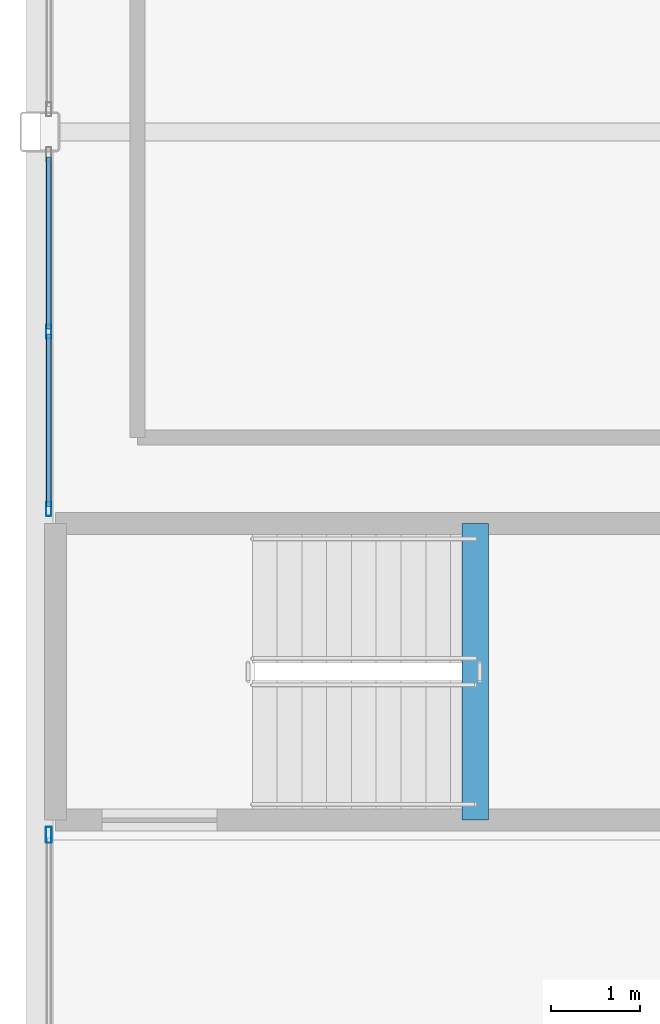
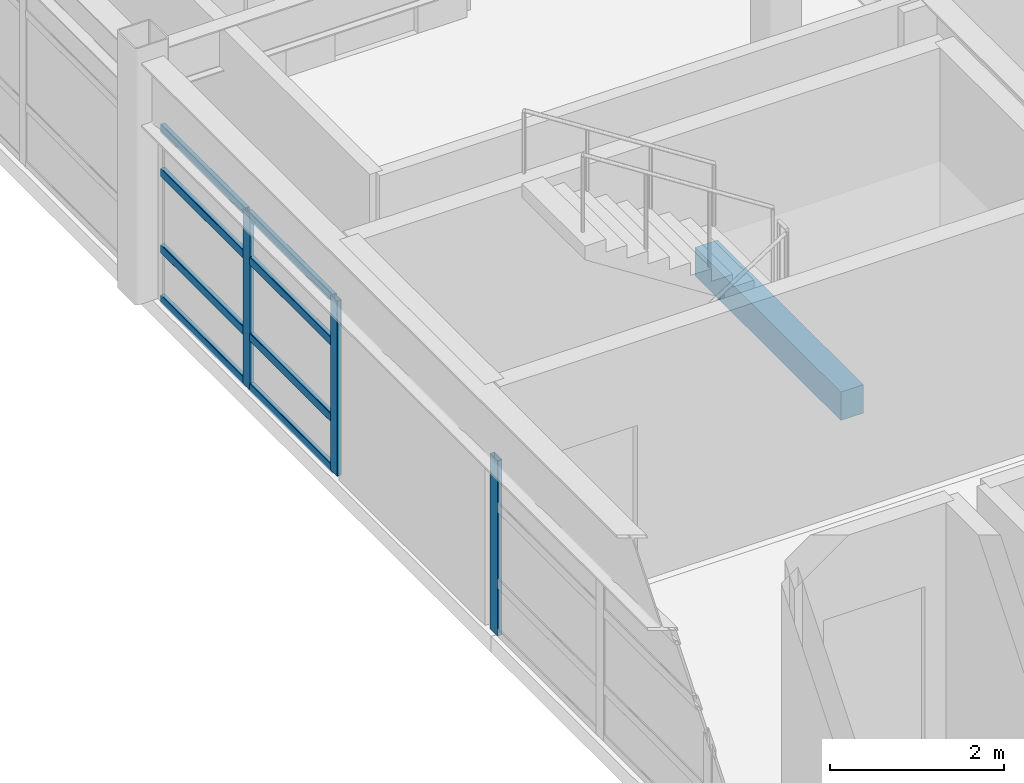
# One storey, part 11 of 28: 11 members, 1 beam, 2 elements without a shape of their own.
"""IFC4 building model written with IfcOpenShell, lengths in metres."""

from ifc_helpers import new_model, si_unit, direction, frame, origin, origin_2d, place, context, subcontext, project, spatial, rectangle, hollow_rectangle, extrude, material, layer, layer_set, material_profile, profile_set, type_object, element, aggregate, save


model = new_model("IFC4")

# Units and contexts
model_context = context("Model", 3, precision=1e-05, world=origin(), true_north=direction((0.0, 1.0)))
body_context = subcontext(model_context, "Body", "Model", "MODEL_VIEW")
ifc_project = project(units=[si_unit("LENGTHUNIT", "METRE"), si_unit("AREAUNIT", "SQUARE_METRE"), si_unit("VOLUMEUNIT", "CUBIC_METRE"), si_unit("PLANEANGLEUNIT", "RADIAN"), si_unit("MASSUNIT", "GRAM", prefix="KILO")], contexts=[model_context])

# Site, building, storey
site_placement = place(None, origin())
site = spatial("IfcSite", under=ifc_project, at=site_placement, CompositionType="ELEMENT")
building_placement = place(site_placement, origin())
building = spatial("IfcBuilding", under=site, at=building_placement, Name="Kazehara Bluff Congress Hotel", CompositionType="ELEMENT")
storey_placement = place(building_placement, frame((0.0, 0.0, 42.60009765625)))
storey = spatial("IfcBuildingStorey", under=building, at=storey_placement, Name="L10", CompositionType="ELEMENT", Elevation=42.60009765625)

# Curtain wall, members
ifc_material_1 = material(Name="Anodised aluminium", Category="aluminium")
ifc_layer_1 = layer(ifc_material_1, 0.159912109375)
ifc_layer_set_1 = layer_set([ifc_layer_1], Name="Anodised aluminium")
curtain_wall_type_1 = type_object("IfcCurtainWallType", Name="TP-CW-204", PredefinedType="NOTDEFINED", material=ifc_layer_set_1)
curtain_wall_1_placement = place(storey_placement, origin())
curtain_wall_1 = element("IfcCurtainWall", 1, at=curtain_wall_1_placement, inside=storey, type_object=curtain_wall_type_1, Name="L10 curtain wall CW-204 CW-ENC-V5-L10-14380-5419", PredefinedType="NOTDEFINED")
ifc_material_2 = material(Name="Anodised aluminium", Category="aluminium")
ifc_material_profile_1 = material_profile(ifc_material_2, hollow_rectangle(XDim=0.06005859375, YDim=0.159912109375, WallThickness=0.00390625, InnerFilletRadius=0.00390625, OuterFilletRadius=0.008056640625, at=origin_2d()))
ifc_profile_set_1 = profile_set([ifc_material_profile_1], Name="Anodised aluminium")
member_type_1 = type_object("IfcMemberType", Name="TP-CWM-01", PredefinedType="MULLION", material=ifc_profile_set_1)
member_1_placement = place(storey_placement, frame((143.800048828125, 52.18994140625, 0.0), z_axis=(0.0, 0.0, 1.0), x_axis=(-1.0, 0.0, 0.0)))
member_1 = element("IfcMember", 2, at=member_1_placement, type_object=member_type_1, Name="CW-204 mullion 1", PredefinedType="MULLION", context=body_context, shape_type="SweptSolid", body=[
    extrude(hollow_rectangle(XDim=0.06005859375, YDim=0.159912109375, WallThickness=0.00390625, InnerFilletRadius=0.00390625, OuterFilletRadius=0.008056640625, at=origin_2d()), origin(), (0.0, 0.0, 1.0), 2.454833984375),
])
member_2_placement = place(storey_placement, frame((143.800048828125, 54.1923828125, 0.0), z_axis=(0.0, 0.0, 1.0), x_axis=(-1.0, 0.0, 0.0)))
member_2 = element("IfcMember", 3, at=member_2_placement, type_object=member_type_1, Name="CW-204 mullion 2", PredefinedType="MULLION", context=body_context, shape_type="SweptSolid", body=[
    extrude(hollow_rectangle(XDim=0.06005859375, YDim=0.159912109375, WallThickness=0.00390625, InnerFilletRadius=0.00390625, OuterFilletRadius=0.008056640625, at=origin_2d()), origin(), (0.0, 0.0, 1.0), 2.454833984375),
])

# Curtain wall, member
ifc_material_3 = material(Name="Anodised aluminium", Category="aluminium")
ifc_layer_2 = layer(ifc_material_3, 0.159912109375)
ifc_layer_set_2 = layer_set([ifc_layer_2], Name="Anodised aluminium")
curtain_wall_type_2 = type_object("IfcCurtainWallType", Name="TP-CW-203", PredefinedType="NOTDEFINED", material=ifc_layer_set_2)
curtain_wall_2_placement = place(storey_placement, origin())
curtain_wall_2 = element("IfcCurtainWall", 4, at=curtain_wall_2_placement, inside=storey, type_object=curtain_wall_type_2, Name="L10 curtain wall CW-203 CW-ENC-V5-L10-14380-4483", PredefinedType="NOTDEFINED")
ifc_material_4 = material(Name="Anodised aluminium", Category="aluminium")
ifc_material_profile_2 = material_profile(ifc_material_4, hollow_rectangle(XDim=0.06494140625, YDim=0.179931640625, WallThickness=0.00390625, InnerFilletRadius=0.00390625, OuterFilletRadius=0.008056640625, at=origin_2d()))
ifc_profile_set_2 = profile_set([ifc_material_profile_2], Name="Anodised aluminium")
member_type_2 = type_object("IfcMemberType", Name="TP-CWM-02", PredefinedType="MULLION", material=ifc_profile_set_2)
member_3_placement = place(storey_placement, frame((143.800048828125, 48.507568359375, 0.0), z_axis=(0.0, 0.0, 1.0), x_axis=(-1.0, 0.0, 0.0)))
member_3 = element("IfcMember", 5, at=member_3_placement, type_object=member_type_2, Name="CW-203 mullion 4", PredefinedType="MULLION", context=body_context, shape_type="SweptSolid", body=[
    extrude(hollow_rectangle(XDim=0.06494140625, YDim=0.179931640625, WallThickness=0.00390625, InnerFilletRadius=0.00390625, OuterFilletRadius=0.008056640625, at=origin_2d()), origin(), (0.0, 0.0, 1.0), 2.454833984375),
])
aggregate(curtain_wall_2, [member_3])

# Member
ifc_material_5 = material(Name="Anodised aluminium", Category="aluminium")
ifc_material_profile_3 = material_profile(ifc_material_5, hollow_rectangle(XDim=0.06005859375, YDim=0.1201171875, WallThickness=0.00390625, InnerFilletRadius=0.00390625, OuterFilletRadius=0.008056640625, at=origin_2d()))
ifc_profile_set_3 = profile_set([ifc_material_profile_3], Name="Anodised aluminium")
member_type_3 = type_object("IfcMemberType", Name="TP-CWT-01", PredefinedType="USERDEFINED", material=ifc_profile_set_3)
member_4_placement = place(storey_placement, frame((143.800048828125, 52.219970703125, 0.02978515625), z_axis=(0.0, 1.0, 0.0), x_axis=(-1.0, 0.0, 0.0)))
member_4 = element("IfcMember", 6, at=member_4_placement, type_object=member_type_3, Name="CW-204 transom 1.1", ObjectType="TRANSOM", PredefinedType="USERDEFINED", context=body_context, shape_type="SweptSolid", body=[
    extrude(hollow_rectangle(XDim=0.06005859375, YDim=0.1201171875, WallThickness=0.00390625, InnerFilletRadius=0.00390625, OuterFilletRadius=0.008056640625, at=origin_2d()), origin(), (0.0, 0.0, 1.0), 1.942626953125),
])

member_5_placement = place(storey_placement, frame((143.800048828125, 52.219970703125, 0.73486328125), z_axis=(0.0, 1.0, 0.0), x_axis=(-1.0, 0.0, 0.0)))
member_5 = element("IfcMember", 7, at=member_5_placement, type_object=member_type_3, Name="CW-204 transom 1.2", ObjectType="TRANSOM", PredefinedType="USERDEFINED", context=body_context, shape_type="SweptSolid", body=[
    extrude(hollow_rectangle(XDim=0.06005859375, YDim=0.1201171875, WallThickness=0.00390625, InnerFilletRadius=0.00390625, OuterFilletRadius=0.008056640625, at=origin_2d()), origin(), (0.0, 0.0, 1.0), 1.942626953125),
])

member_6_placement = place(storey_placement, frame((143.800048828125, 52.219970703125, 1.804931640625), z_axis=(0.0, 1.0, 0.0), x_axis=(-1.0, 0.0, 0.0)))
member_6 = element("IfcMember", 8, at=member_6_placement, type_object=member_type_3, Name="CW-204 transom 1.3", ObjectType="TRANSOM", PredefinedType="USERDEFINED", context=body_context, shape_type="SweptSolid", body=[
    extrude(hollow_rectangle(XDim=0.06005859375, YDim=0.1201171875, WallThickness=0.00390625, InnerFilletRadius=0.00390625, OuterFilletRadius=0.008056640625, at=origin_2d()), origin(), (0.0, 0.0, 1.0), 1.942626953125),
])

member_7_placement = place(storey_placement, frame((143.800048828125, 52.219970703125, 2.4248046875), z_axis=(0.0, 1.0, 0.0), x_axis=(-1.0, 0.0, 0.0)))
member_7 = element("IfcMember", 9, at=member_7_placement, type_object=member_type_3, Name="CW-204 transom 1.4", ObjectType="TRANSOM", PredefinedType="USERDEFINED", context=body_context, shape_type="SweptSolid", body=[
    extrude(hollow_rectangle(XDim=0.06005859375, YDim=0.1201171875, WallThickness=0.00390625, InnerFilletRadius=0.00390625, OuterFilletRadius=0.008056640625, at=origin_2d()), origin(), (0.0, 0.0, 1.0), 1.942626953125),
])

member_8_placement = place(storey_placement, frame((143.800048828125, 54.222412109375, 0.02978515625), z_axis=(0.0, 1.0, 0.0), x_axis=(-1.0, 0.0, 0.0)))
member_8 = element("IfcMember", 10, at=member_8_placement, type_object=member_type_3, Name="CW-204 transom 2.1", ObjectType="TRANSOM", PredefinedType="USERDEFINED", context=body_context, shape_type="SweptSolid", body=[
    extrude(hollow_rectangle(XDim=0.06005859375, YDim=0.1201171875, WallThickness=0.00390625, InnerFilletRadius=0.00390625, OuterFilletRadius=0.008056640625, at=origin_2d()), origin(), (0.0, 0.0, 1.0), 1.942626953125),
])

member_9_placement = place(storey_placement, frame((143.800048828125, 54.222412109375, 0.73486328125), z_axis=(0.0, 1.0, 0.0), x_axis=(-1.0, 0.0, 0.0)))
member_9 = element("IfcMember", 11, at=member_9_placement, type_object=member_type_3, Name="CW-204 transom 2.2", ObjectType="TRANSOM", PredefinedType="USERDEFINED", context=body_context, shape_type="SweptSolid", body=[
    extrude(hollow_rectangle(XDim=0.06005859375, YDim=0.1201171875, WallThickness=0.00390625, InnerFilletRadius=0.00390625, OuterFilletRadius=0.008056640625, at=origin_2d()), origin(), (0.0, 0.0, 1.0), 1.942626953125),
])

member_10_placement = place(storey_placement, frame((143.800048828125, 54.222412109375, 1.804931640625), z_axis=(0.0, 1.0, 0.0), x_axis=(-1.0, 0.0, 0.0)))
member_10 = element("IfcMember", 12, at=member_10_placement, type_object=member_type_3, Name="CW-204 transom 2.3", ObjectType="TRANSOM", PredefinedType="USERDEFINED", context=body_context, shape_type="SweptSolid", body=[
    extrude(hollow_rectangle(XDim=0.06005859375, YDim=0.1201171875, WallThickness=0.00390625, InnerFilletRadius=0.00390625, OuterFilletRadius=0.008056640625, at=origin_2d()), origin(), (0.0, 0.0, 1.0), 1.942626953125),
])

member_11_placement = place(storey_placement, frame((143.800048828125, 54.222412109375, 2.4248046875), z_axis=(0.0, 1.0, 0.0), x_axis=(-1.0, 0.0, 0.0)))
member_11 = element("IfcMember", 13, at=member_11_placement, type_object=member_type_3, Name="CW-204 transom 2.4", ObjectType="TRANSOM", PredefinedType="USERDEFINED", context=body_context, shape_type="SweptSolid", body=[
    extrude(hollow_rectangle(XDim=0.06005859375, YDim=0.1201171875, WallThickness=0.00390625, InnerFilletRadius=0.00390625, OuterFilletRadius=0.008056640625, at=origin_2d()), origin(), (0.0, 0.0, 1.0), 1.942626953125),
])

aggregate(curtain_wall_1, [member_1, member_2, member_4, member_5, member_6, member_7, member_8, member_9, member_10, member_11])

# Beam
ifc_material_6 = material(Name="Concrete C40/50", Category="concrete")
ifc_material_profile_4 = material_profile(ifc_material_6, rectangle(XDim=0.300048828125, YDim=0.39990234375, at=origin_2d()))
ifc_profile_set_4 = profile_set([ifc_material_profile_4], Name="Concrete C40/50")
beam_type = type_object("IfcBeamType", Name="TP-LN-02", PredefinedType="LINTEL", material=ifc_profile_set_4)
beam_placement = place(storey_placement, frame((148.6201171875, 48.675048828125, 1.419921875), z_axis=(0.0, 1.0, 0.0), x_axis=(-1.0, 0.0, 0.0)))
element("IfcBeam", 14, at=beam_placement, inside=storey, type_object=beam_type, Name="L10 ST-11 half-landing support beam 1", PredefinedType="LINTEL", context=body_context, shape_type="SweptSolid", body=[
    extrude(rectangle(XDim=0.300048828125, YDim=0.39990234375, at=origin_2d()), origin(), (0.0, 0.0, 1.0), 3.349853515625),
])

save(model, "model.ifc")
